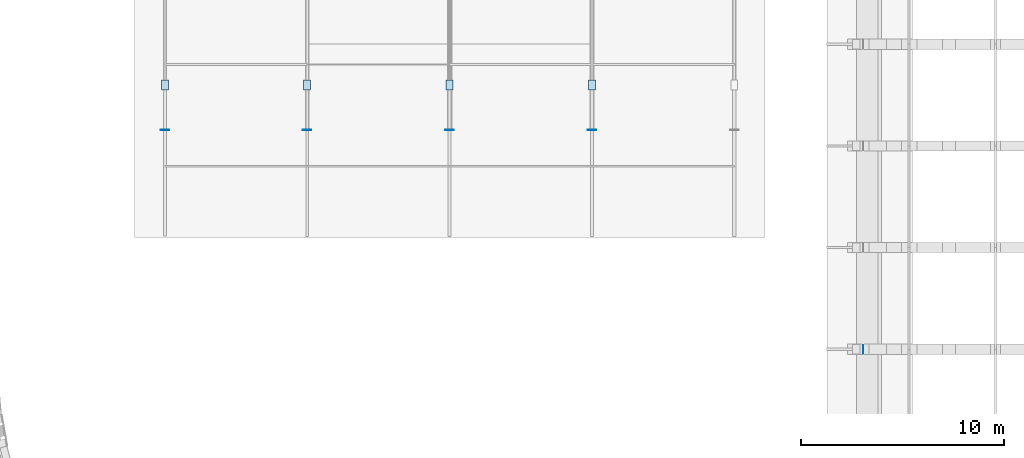
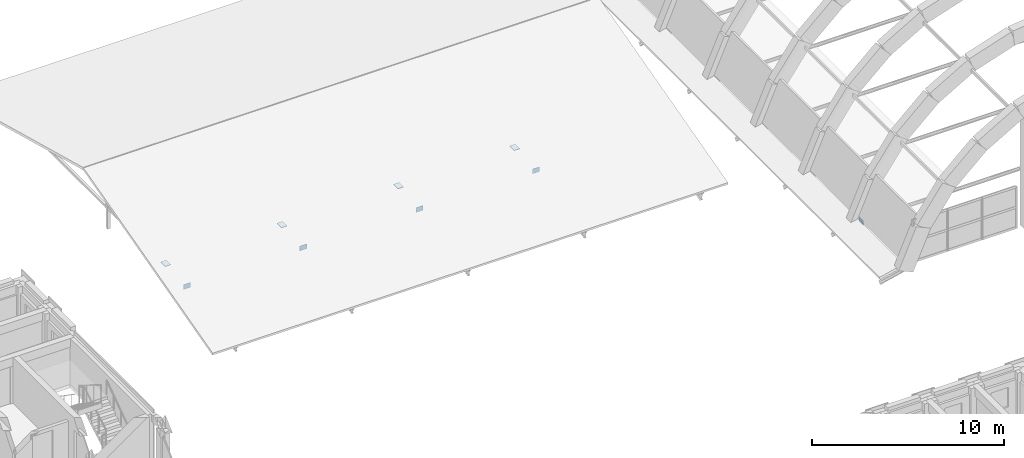
# One storey, part 29 of 76: 9 plates.
"""IFC4 building model written with IfcOpenShell, lengths in metres."""

from ifc_helpers import new_model, si_unit, direction, frame, origin, origin_2d, place, context, subcontext, project, spatial, rectangle, extrude, material, layer, layer_set, type_object, element, save


model = new_model("IFC4")

# Units and contexts
model_context = context("Model", 3, precision=1e-05, world=origin(), true_north=direction((0.0, 1.0)))
body_context = subcontext(model_context, "Body", "Model", "MODEL_VIEW")
ifc_project = project(units=[si_unit("LENGTHUNIT", "METRE"), si_unit("AREAUNIT", "SQUARE_METRE"), si_unit("VOLUMEUNIT", "CUBIC_METRE"), si_unit("PLANEANGLEUNIT", "RADIAN"), si_unit("MASSUNIT", "GRAM", prefix="KILO")], contexts=[model_context])

# Site, building, storey
site_placement = place(None, origin())
site = spatial("IfcSite", under=ifc_project, at=site_placement, CompositionType="ELEMENT")
building_placement = place(site_placement, origin())
building = spatial("IfcBuilding", under=site, at=building_placement, Name="Kiranvali Square Residences", CompositionType="ELEMENT")
storey_placement = place(building_placement, frame((0.0, 0.0, 8.699951171875)))
storey = spatial("IfcBuildingStorey", under=building, at=storey_placement, Name="L02", CompositionType="ELEMENT", Elevation=8.699951171875)

# Plates
ifc_material = material(Name="Structural steel E350", Category="steel")
ifc_layer_1 = layer(ifc_material, 0.02001953125)
ifc_layer_set_1 = layer_set([ifc_layer_1], Name="Structural steel E350")
plate_type_1 = type_object("IfcPlateType", Name="PLT-ENDCAP-20", PredefinedType="SHEET", material=ifc_layer_set_1)
plate_placement = place(storey_placement, frame((72.340087890625, 49.0, -0.39990234375), z_axis=(0.0, 0.0, 1.0), x_axis=(1.0, 0.0, 0.0)))
element("IfcPlate", 1, at=plate_placement, inside=storey, type_object=plate_type_1, Name="Vault tie rod end plate 2-W", PredefinedType="SHEET", context=body_context, shape_type="SweptSolid", body=[
    extrude(rectangle(XDim=0.02001953125, YDim=0.419921875, at=origin_2d()), origin(), (0.0, 0.0, 1.0), 0.300048828125),
])
for number, where, z_axis, x_axis, name in (
    (2, (38.0, 59.7880859375, 0.9501953125), (0.0, 0.0, 1.0), (1.0, 0.0, 0.0), "Nursery Pavilion chord end-cap plate 1-S"),
    (3, (45.0, 59.7880859375, 0.9501953125), (0.0, 0.0, 1.0), (1.0, 0.0, 0.0), "Nursery Pavilion chord end-cap plate 2-S"),
    (4, (52.0, 59.7880859375, 0.9501953125), (0.0, 0.0, 1.0), (1.0, 0.0, 0.0), "Nursery Pavilion chord end-cap plate 3-S"),
    (5, (59.0, 59.7880859375, 0.9501953125), (0.0, 0.0, 1.0), (1.0, 0.0, 0.0), "Nursery Pavilion chord end-cap plate 4-S"),
):
    element("IfcPlate", number, at=place(storey_placement, frame(where, z_axis=z_axis, x_axis=x_axis)), inside=storey, type_object=plate_type_1, Name=name, PredefinedType="SHEET", context=body_context, shape_type="SweptSolid", body=[
        extrude(rectangle(XDim=0.419921875, YDim=0.02001953125, at=origin_2d()), origin(), (0.0, 0.0, 1.0), 0.300048828125),
    ])
ifc_layer_2 = layer(ifc_material, 0.02490234375)
ifc_layer_set_2 = layer_set([ifc_layer_2], Name="Structural steel E350")
plate_type_2 = type_object("IfcPlateType", Name="PLT-GUSSET-25", PredefinedType="USERDEFINED", material=ifc_layer_set_2)
for number, where, z_axis, x_axis, name in (
    (6, (38.0, 62.0, 1.176513671875), (0.0, 0.0, 1.0), (1.0, 0.0, 0.0), "Nursery Pavilion bottom chord brace gusset plate 1-S"),
    (7, (45.0, 62.0, 1.191650390625), (0.0, 0.0, 1.0), (1.0, 0.0, 0.0), "Nursery Pavilion bottom chord brace gusset plate 2-S"),
    (8, (52.0, 62.0, 1.211669921875), (0.0, 0.0, 1.0), (1.0, 0.0, 0.0), "Nursery Pavilion bottom chord brace gusset plate 3-S"),
    (9, (59.0, 62.0, 1.198486328125), (0.0, 0.0, 1.0), (1.0, 0.0, 0.0), "Nursery Pavilion bottom chord brace gusset plate 4-S"),
):
    element("IfcPlate", number, at=place(storey_placement, frame(where, z_axis=z_axis, x_axis=x_axis)), inside=storey, type_object=plate_type_2, Name=name, ObjectType="GUSSET PLATE", PredefinedType="USERDEFINED", context=body_context, shape_type="SweptSolid", body=[
        extrude(rectangle(XDim=0.340087890625, YDim=0.47998046875, at=origin_2d()), origin(), (0.0, 0.0, 1.0), 0.02490234375),
    ])

save(model, "model.ifc")
